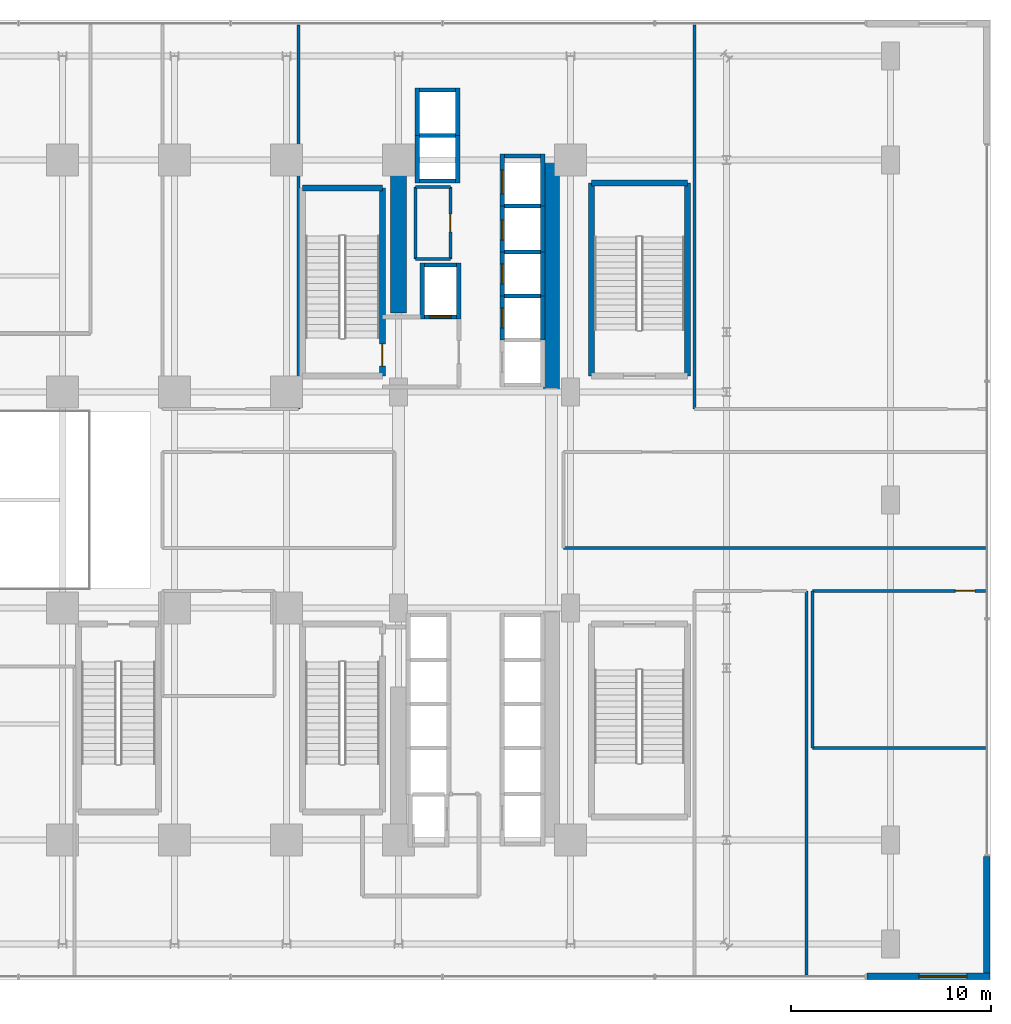
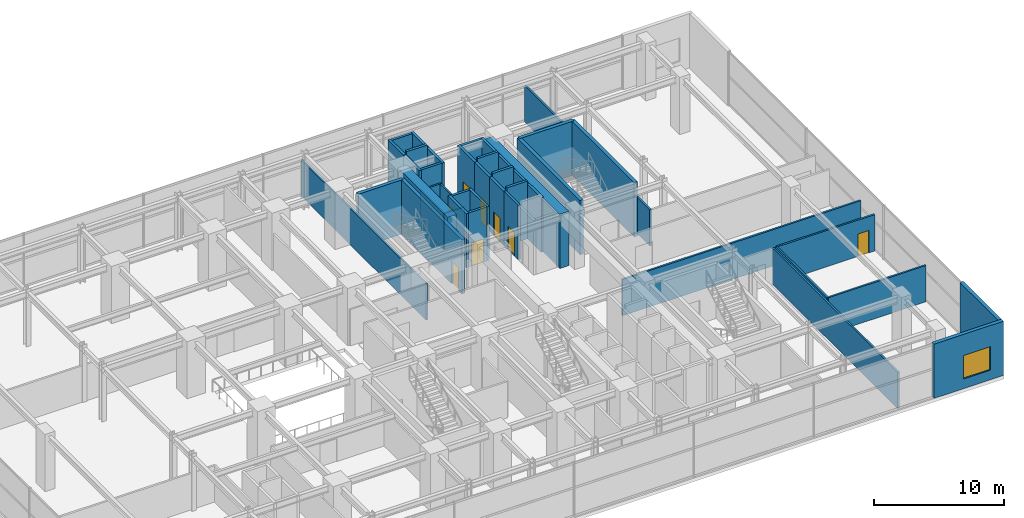
# One storey, part 29 of 32: 43 walls, 8 doors, 1 window, 9 openings.
"""IFC4 building model written with IfcOpenShell, lengths in metres."""

from ifc_helpers import new_model, si_unit, direction, frame, frame_2d, origin, place, context, subcontext, project, spatial, rectangle, extrude, source, transform, mapped, material, layer, layer_set, type_object, element, fill, save


model = new_model("IFC4")

# Units and contexts
model_context = context("Model", 3, precision=1e-05, world=origin(), true_north=direction((0.0, 1.0)))
body_context = subcontext(model_context, "Body", "Model", "MODEL_VIEW")
ifc_project = project(units=[si_unit("LENGTHUNIT", "METRE"), si_unit("AREAUNIT", "SQUARE_METRE"), si_unit("VOLUMEUNIT", "CUBIC_METRE"), si_unit("PLANEANGLEUNIT", "RADIAN"), si_unit("MASSUNIT", "GRAM", prefix="KILO")], contexts=[model_context])

# Site, building, storey
site_placement = place(None, origin())
site = spatial("IfcSite", under=ifc_project, at=site_placement, CompositionType="ELEMENT")
building_placement = place(site_placement, origin())
building = spatial("IfcBuilding", under=site, at=building_placement, Name="Nahalor Promenade Grand Hotel", CompositionType="ELEMENT")
storey_placement = place(building_placement, frame((0.0, 0.0, 5.39990234375)))
storey = spatial("IfcBuildingStorey", under=building, at=storey_placement, Name="L01", CompositionType="ELEMENT", Elevation=5.39990234375)

# Walls
ifc_material_1 = material(Name="Concrete B-70 (C60/75)", Category="concrete")
ifc_layer_1 = layer(ifc_material_1, 0.800048828125)
ifc_layer_set_1 = layer_set([ifc_layer_1], Name="Concrete B-70 (C60/75)")
wall_type_1 = type_object("IfcWallType", Name="Wall-CoreShear-800", PredefinedType="SHEAR", material=ifc_layer_set_1)
shared_shape_1 = source(origin(), body_context, "Body", "SweptSolid", [
    extrude(rectangle(XDim=7.64990234375, YDim=0.800048828125, at=frame_2d((3.824951171875, 0.0))), origin(), (0.0, 0.0, 1.0), 5.080078125),
])
wall_1_placement = place(storey_placement, frame((8.39990234375, 9.35009765625, 0.0), z_axis=(0.0, 0.0, 1.0), x_axis=(0.0, 1.0, 0.0)))
element("IfcWall", 1, at=wall_1_placement, inside=storey, type_object=wall_type_1, Name="CWALL-L01-NW", PredefinedType="SHEAR", context=body_context, shape_type="MappedRepresentation", body=[
    mapped(shared_shape_1, transform((0.0, 0.0, 0.0), scale=1.0)),
])
shared_shape_2 = source(origin(), body_context, "Body", "SweptSolid", [
    extrude(rectangle(XDim=11.60009765625, YDim=0.800048828125, at=frame_2d((5.800048828125, 0.0))), origin(), (0.0, 0.0, 1.0), 5.080078125),
])
wall_2_placement = place(storey_placement, frame((16.050048828125, 5.39990234375, 0.0), z_axis=(0.0, 0.0, 1.0), x_axis=(0.0, 1.0, 0.0)))
element("IfcWall", 2, at=wall_2_placement, inside=storey, type_object=wall_type_1, Name="CWALL-L01-NE", PredefinedType="SHEAR", context=body_context, shape_type="MappedRepresentation", body=[
    mapped(shared_shape_2, transform((0.0, 0.0, 0.0), scale=1.0)),
])
ifc_material_2 = material(Name="Concrete B-50 (C40/50)", Category="concrete")
ifc_layer_2 = layer(ifc_material_2, 0.300048828125)
ifc_layer_set_2 = layer_set([ifc_layer_2], Name="Concrete B-50 (C40/50)")
wall_type_2 = type_object("IfcWallType", Name="Wall-ShaftShear-300", PredefinedType="SHEAR", material=ifc_layer_set_2)
shared_shape_3 = source(origin(), body_context, "Body", "SweptSolid", [
    extrude(rectangle(XDim=3.97998046875, YDim=0.300048828125, at=frame_2d((1.989990234375, 0.0))), origin(), (0.0, 0.0, 1.0), 5.080078125),
])
wall_3_placement = place(storey_placement, frame((3.610107421875, 15.590087890625, 0.0), z_axis=(0.0, 0.0, 1.0), x_axis=(1.0, 0.0, 0.0)))
element("IfcWall", 3, at=wall_3_placement, inside=storey, type_object=wall_type_2, Name="L01 Exit Stair ST1 Shaft Wall N", PredefinedType="SHEAR", context=body_context, shape_type="MappedRepresentation", body=[
    mapped(shared_shape_3, transform((0.0, 0.0, 0.0), scale=1.0)),
])

# Wall, opening, door
shared_shape_4 = source(origin(), body_context, "Body", "SweptSolid", [
    extrude(rectangle(XDim=9.380126953125, YDim=0.300048828125, at=frame_2d((4.68994140625, 0.0))), origin(), (0.0, 0.0, 1.0), 5.080078125),
])
wall_4_placement = place(storey_placement, frame((7.590087890625, 6.2099609375, 0.0), z_axis=(0.0, 0.0, 1.0), x_axis=(0.0, 1.0, 0.0)))
wall_4 = element("IfcWall", 4, at=wall_4_placement, inside=storey, type_object=wall_type_2, Name="L01 Exit Stair ST1 Shaft Wall E", PredefinedType="SHEAR", context=body_context, shape_type="MappedRepresentation", body=[
    mapped(shared_shape_4, transform((0.0, 0.0, 0.0), scale=1.0)),
])
opening_1_placement = place(wall_4_placement, frame((0.489990234375, 0.0, 0.0)))
opening_1 = element("IfcOpeningElement", 5, at=opening_1_placement, cuts=wall_4, Name="Opening D-ST1", PredefinedType="OPENING", context=body_context, shape_type="SweptSolid", body=[
    extrude(rectangle(XDim=1.10009765625, YDim=2.14990234375, at=frame_2d((0.550048828125, 1.074951171875))), frame((0.0, 0.159912109375, 0.0), z_axis=(0.0, -1.0, 0.0), x_axis=(1.0, 0.0, 0.0)), (0.0, 0.0, 1.0), 0.320068359375),
])
ifc_material_3 = material(Name="Steel S355JR", Category="steel")
door_type_1 = type_object("IfcDoorType", Name="Door-StairFire-1100", OperationType="NOTDEFINED", PredefinedType="DOOR", material=ifc_material_3)
shared_shape_5 = source(origin(), body_context, "Body", "SweptSolid", [
    extrude(rectangle(XDim=1.10009765625, YDim=2.14990234375, at=frame_2d((0.550048828125, 1.074951171875))), frame((0.0, 0.02490234375, 0.0), z_axis=(0.0, -1.0, 0.0), x_axis=(1.0, 0.0, 0.0)), (0.0, 0.0, 1.0), 0.050048828125),
])
door_1_placement = place(opening_1_placement, origin())
door_1 = element("IfcDoor", 6, at=door_1_placement, inside=storey, type_object=door_type_1, Name="DR-STAIR-ST1-L01", OperationType="SINGLE_SWING_RIGHT", OverallHeight=2.14990234375, OverallWidth=1.10009765625, PredefinedType="DOOR", context=body_context, shape_type="MappedRepresentation", body=[
    mapped(shared_shape_5, transform((0.0, 0.0, 0.0), scale=1.0)),
])
fill(opening_1, door_1)

# Walls
shared_shape_6 = source(origin(), body_context, "Body", "SweptSolid", [
    extrude(rectangle(XDim=4.780029296875, YDim=0.300048828125, at=frame_2d((2.39013671875, 0.0))), origin(), (0.0, 0.0, 1.0), 5.080078125),
])
wall_5_placement = place(storey_placement, frame((18.06005859375, 15.840087890625, 0.0), z_axis=(0.0, 0.0, 1.0), x_axis=(1.0, 0.0, 0.0)))
element("IfcWall", 7, at=wall_5_placement, inside=storey, type_object=wall_type_2, Name="L01 Exit Stair ST4 Shaft Wall N", PredefinedType="SHEAR", context=body_context, shape_type="MappedRepresentation", body=[
    mapped(shared_shape_6, transform((0.0, 0.0, 0.0), scale=1.0)),
])
shared_shape_7 = source(origin(), body_context, "Body", "SweptSolid", [
    extrude(rectangle(XDim=9.630126953125, YDim=0.300048828125, at=frame_2d((4.81494140625, 0.0))), origin(), (0.0, 0.0, 1.0), 5.080078125),
])
for number, where, z_axis, x_axis, name in (
    (8, (18.06005859375, 6.2099609375, 0.0), (0.0, 0.0, 1.0), (0.0, 1.0, 0.0), "L01 Exit Stair ST4 Shaft Wall W"),
    (9, (22.840087890625, 6.2099609375, 0.0), (0.0, 0.0, 1.0), (0.0, 1.0, 0.0), "L01 Exit Stair ST4 Shaft Wall E"),
):
    element("IfcWall", number, at=place(storey_placement, frame(where, z_axis=z_axis, x_axis=x_axis)), inside=storey, type_object=wall_type_2, Name=name, PredefinedType="SHEAR", context=body_context, shape_type="MappedRepresentation", body=[
        mapped(shared_shape_7, transform((0.0, 0.0, 0.0), scale=1.0)),
    ])
ifc_layer_3 = layer(ifc_material_2, 0.219970703125)
ifc_layer_set_3 = layer_set([ifc_layer_3], Name="Concrete B-50 (C40/50)")
wall_type_3 = type_object("IfcWallType", Name="Wall-LiftShaft-220", PredefinedType="SHEAR", material=ifc_layer_set_3)
shared_shape_8 = source(origin(), body_context, "Body", "SweptSolid", [
    extrude(rectangle(XDim=1.820068359375, YDim=0.219970703125, at=frame_2d((0.91015625, 0.0))), origin(), (0.0, 0.0, 1.0), 5.080078125),
])
for number, where, z_axis, x_axis, name in (
    (10, (9.43994140625, 15.949951171875, 0.0), (0.0, 0.0, 1.0), (1.0, 0.0, 0.0), "L01 Lift OB1 Hoistway Wall S"),
    (11, (9.43994140625, 20.5, 0.0), (0.0, 0.0, 1.0), (1.0, 0.0, 0.0), "L01 Lift OB2 Hoistway Wall N"),
    (12, (13.68994140625, 17.199951171875, 0.0), (0.0, 0.0, 1.0), (1.0, 0.0, 0.0), "L01 Lift SV1 Hoistway Wall N"),
):
    element("IfcWall", number, at=place(storey_placement, frame(where, z_axis=z_axis, x_axis=x_axis)), inside=storey, type_object=wall_type_3, Name=name, PredefinedType="SHEAR", context=body_context, shape_type="MappedRepresentation", body=[
        mapped(shared_shape_8, transform((0.0, 0.0, 0.0), scale=1.0)),
    ])
shared_shape_9 = source(origin(), body_context, "Body", "SweptSolid", [
    extrude(rectangle(XDim=1.820068359375, YDim=0.219970703125, at=frame_2d((0.91015625, 0.0))), origin(), (0.0, 0.0, 1.0), 5.400146484375),
])
for number, where, z_axis, x_axis, name in (
    (13, (13.68994140625, 10.199951171875, 0.0), (0.0, 0.0, 1.0), (1.0, 0.0, 0.0), "L01 Lift PL2 Hoistway Wall N"),
    (14, (13.68994140625, 12.39990234375, 0.0), (0.0, 0.0, 1.0), (1.0, 0.0, 0.0), "L01 Lift PL3 Hoistway Wall N"),
    (15, (13.68994140625, 14.699951171875, 0.0), (0.0, 0.0, 1.0), (1.0, 0.0, 0.0), "L01 Lift PL4 Hoistway Wall N"),
    (16, (9.43994140625, 18.22509765625, 0.0), (0.0, 0.0, 1.0), (1.0, 0.0, 0.0), "L01 Lift OB1 Hoistway Wall N"),
):
    element("IfcWall", number, at=place(storey_placement, frame(where, z_axis=z_axis, x_axis=x_axis)), inside=storey, type_object=wall_type_3, Name=name, PredefinedType="SHEAR", context=body_context, shape_type="MappedRepresentation", body=[
        mapped(shared_shape_9, transform((0.0, 0.0, 0.0), scale=1.0)),
    ])

# Wall, opening, door
shared_shape_10 = source(origin(), body_context, "Body", "SweptSolid", [
    extrude(rectangle(XDim=2.199951171875, YDim=0.219970703125, at=frame_2d((1.10009765625, 0.0))), origin(), (0.0, 0.0, 1.0), 5.080078125),
])
wall_6_placement = place(storey_placement, frame((13.580078125, 8.0, 0.0), z_axis=(0.0, 0.0, 1.0), x_axis=(0.0, 1.0, 0.0)))
wall_6 = element("IfcWall", 17, at=wall_6_placement, inside=storey, type_object=wall_type_3, Name="L01 Lift PL2 Hoistway Wall W", PredefinedType="SHEAR", context=body_context, shape_type="MappedRepresentation", body=[
    mapped(shared_shape_10, transform((0.0, 0.0, 0.0), scale=1.0)),
])
opening_2_placement = place(wall_6_placement, frame((0.60009765625, 0.0, 0.0)))
opening_2 = element("IfcOpeningElement", 18, at=opening_2_placement, cuts=wall_6, Name="Opening LD-01", PredefinedType="OPENING", context=body_context, shape_type="SweptSolid", body=[
    extrude(rectangle(XDim=1.0, YDim=2.199951171875, at=frame_2d((0.5, 1.10009765625))), frame((0.0, 0.119873046875, 0.0), z_axis=(0.0, -1.0, 0.0), x_axis=(1.0, 0.0, 0.0)), (0.0, 0.0, 1.0), 0.239990234375),
])
door_type_2 = type_object("IfcDoorType", Name="Door-LiftLanding-1000", OperationType="DOUBLE_DOOR_SLIDING", PredefinedType="DOOR", material=ifc_material_3)
shared_shape_11 = source(origin(), body_context, "Body", "SweptSolid", [
    extrude(rectangle(XDim=1.0, YDim=2.199951171875, at=frame_2d((0.5, 1.10009765625))), frame((0.0, 0.02490234375, 0.0), z_axis=(0.0, -1.0, 0.0), x_axis=(1.0, 0.0, 0.0)), (0.0, 0.0, 1.0), 0.050048828125),
])
door_2_placement = place(opening_2_placement, origin())
door_2 = element("IfcDoor", 19, at=door_2_placement, inside=storey, type_object=door_type_2, Name="DR-LIFT-PL2-L01", OperationType="DOUBLE_DOOR_SLIDING", OverallHeight=2.199951171875, OverallWidth=1.0, PredefinedType="DOOR", context=body_context, shape_type="MappedRepresentation", body=[
    mapped(shared_shape_11, transform((0.0, 0.0, 0.0), scale=1.0)),
])
fill(opening_2, door_2)

# Wall
wall_7_placement = place(storey_placement, frame((15.6201171875, 8.0, 0.0), z_axis=(0.0, 0.0, 1.0), x_axis=(0.0, 1.0, 0.0)))
element("IfcWall", 20, at=wall_7_placement, inside=storey, type_object=wall_type_3, Name="L01 Lift PL2 Hoistway Wall E", PredefinedType="SHEAR", context=body_context, shape_type="MappedRepresentation", body=[
    mapped(shared_shape_10, transform((0.0, 0.0, 0.0), scale=1.0)),
])

# Wall, opening, door
wall_8_placement = place(storey_placement, frame((13.580078125, 10.199951171875, 0.0), z_axis=(0.0, 0.0, 1.0), x_axis=(0.0, 1.0, 0.0)))
wall_8 = element("IfcWall", 21, at=wall_8_placement, inside=storey, type_object=wall_type_3, Name="L01 Lift PL3 Hoistway Wall W", PredefinedType="SHEAR", context=body_context, shape_type="MappedRepresentation", body=[
    mapped(shared_shape_10, transform((0.0, 0.0, 0.0), scale=1.0)),
])
opening_3_placement = place(wall_8_placement, frame((0.60009765625, 0.0, 0.0)))
opening_3 = element("IfcOpeningElement", 22, at=opening_3_placement, cuts=wall_8, Name="Opening LD-01", PredefinedType="OPENING", context=body_context, shape_type="SweptSolid", body=[
    extrude(rectangle(XDim=1.0, YDim=2.199951171875, at=frame_2d((0.5, 1.10009765625))), frame((0.0, 0.119873046875, 0.0), z_axis=(0.0, -1.0, 0.0), x_axis=(1.0, 0.0, 0.0)), (0.0, 0.0, 1.0), 0.239990234375),
])
door_3_placement = place(opening_3_placement, origin())
door_3 = element("IfcDoor", 23, at=door_3_placement, inside=storey, type_object=door_type_2, Name="DR-LIFT-PL3-L01", OperationType="DOUBLE_DOOR_SLIDING", OverallHeight=2.199951171875, OverallWidth=1.0, PredefinedType="DOOR", context=body_context, shape_type="MappedRepresentation", body=[
    mapped(shared_shape_11, transform((0.0, 0.0, 0.0), scale=1.0)),
])
fill(opening_3, door_3)

# Wall
wall_9_placement = place(storey_placement, frame((15.6201171875, 10.199951171875, 0.0), z_axis=(0.0, 0.0, 1.0), x_axis=(0.0, 1.0, 0.0)))
element("IfcWall", 24, at=wall_9_placement, inside=storey, type_object=wall_type_3, Name="L01 Lift PL3 Hoistway Wall E", PredefinedType="SHEAR", context=body_context, shape_type="MappedRepresentation", body=[
    mapped(shared_shape_10, transform((0.0, 0.0, 0.0), scale=1.0)),
])

# Wall, opening, door
shared_shape_12 = source(origin(), body_context, "Body", "SweptSolid", [
    extrude(rectangle(XDim=2.300048828125, YDim=0.219970703125, at=frame_2d((1.14990234375, 0.0))), origin(), (0.0, 0.0, 1.0), 5.080078125),
])
wall_10_placement = place(storey_placement, frame((13.580078125, 12.39990234375, 0.0), z_axis=(0.0, 0.0, 1.0), x_axis=(0.0, 1.0, 0.0)))
wall_10 = element("IfcWall", 25, at=wall_10_placement, inside=storey, type_object=wall_type_3, Name="L01 Lift PL4 Hoistway Wall W", PredefinedType="SHEAR", context=body_context, shape_type="MappedRepresentation", body=[
    mapped(shared_shape_12, transform((0.0, 0.0, 0.0), scale=1.0)),
])
opening_4_placement = place(wall_10_placement, frame((0.60009765625, 0.0, 0.0)))
opening_4 = element("IfcOpeningElement", 26, at=opening_4_placement, cuts=wall_10, Name="Opening LD-01", PredefinedType="OPENING", context=body_context, shape_type="SweptSolid", body=[
    extrude(rectangle(XDim=1.0, YDim=2.199951171875, at=frame_2d((0.5, 1.10009765625))), frame((0.0, 0.119873046875, 0.0), z_axis=(0.0, -1.0, 0.0), x_axis=(1.0, 0.0, 0.0)), (0.0, 0.0, 1.0), 0.239990234375),
])
door_4_placement = place(opening_4_placement, origin())
door_4 = element("IfcDoor", 27, at=door_4_placement, inside=storey, type_object=door_type_2, Name="DR-LIFT-PL4-L01", OperationType="DOUBLE_DOOR_SLIDING", OverallHeight=2.199951171875, OverallWidth=1.0, PredefinedType="DOOR", context=body_context, shape_type="MappedRepresentation", body=[
    mapped(shared_shape_11, transform((0.0, 0.0, 0.0), scale=1.0)),
])
fill(opening_4, door_4)

# Walls
wall_11_placement = place(storey_placement, frame((15.6201171875, 12.39990234375, 0.0), z_axis=(0.0, 0.0, 1.0), x_axis=(0.0, 1.0, 0.0)))
element("IfcWall", 28, at=wall_11_placement, inside=storey, type_object=wall_type_3, Name="L01 Lift PL4 Hoistway Wall E", PredefinedType="SHEAR", context=body_context, shape_type="MappedRepresentation", body=[
    mapped(shared_shape_12, transform((0.0, 0.0, 0.0), scale=1.0)),
])
shared_shape_13 = source(origin(), body_context, "Body", "SweptSolid", [
    extrude(rectangle(XDim=2.385009765625, YDim=0.219970703125, at=frame_2d((1.1923828125, 0.0))), origin(), (0.0, 0.0, 1.0), 5.080078125),
])
for number, where, z_axis, x_axis, name in (
    (29, (9.330078125, 15.840087890625, 0.0), (0.0, 0.0, 1.0), (0.0, 1.0, 0.0), "L01 Lift OB1 Hoistway Wall W"),
    (30, (11.3701171875, 15.840087890625, 0.0), (0.0, 0.0, 1.0), (0.0, 1.0, 0.0), "L01 Lift OB1 Hoistway Wall E"),
    (31, (9.330078125, 18.22509765625, 0.0), (0.0, 0.0, 1.0), (0.0, 1.0, 0.0), "L01 Lift OB2 Hoistway Wall W"),
    (32, (11.3701171875, 18.22509765625, 0.0), (0.0, 0.0, 1.0), (0.0, 1.0, 0.0), "L01 Lift OB2 Hoistway Wall E"),
):
    element("IfcWall", number, at=place(storey_placement, frame(where, z_axis=z_axis, x_axis=x_axis)), inside=storey, type_object=wall_type_3, Name=name, PredefinedType="SHEAR", context=body_context, shape_type="MappedRepresentation", body=[
        mapped(shared_shape_13, transform((0.0, 0.0, 0.0), scale=1.0)),
    ])
shared_shape_14 = source(origin(), body_context, "Body", "SweptSolid", [
    extrude(rectangle(XDim=2.820068359375, YDim=0.219970703125, at=frame_2d((1.41015625, 0.0))), origin(), (0.0, 0.0, 1.0), 5.080078125),
])
for number, where, z_axis, x_axis, name in (
    (33, (9.580078125, 9.0400390625, 0.0), (0.0, 0.0, 1.0), (0.0, 1.0, 0.0), "L01 Lift FL1 Hoistway Wall W"),
    (34, (11.419921875, 9.0400390625, 0.0), (0.0, 0.0, 1.0), (0.0, 1.0, 0.0), "L01 Lift FL1 Hoistway Wall E"),
):
    element("IfcWall", number, at=place(storey_placement, frame(where, z_axis=z_axis, x_axis=x_axis)), inside=storey, type_object=wall_type_3, Name=name, PredefinedType="SHEAR", context=body_context, shape_type="MappedRepresentation", body=[
        mapped(shared_shape_14, transform((0.0, 0.0, 0.0), scale=1.0)),
    ])

# Wall, opening, door
shared_shape_15 = source(origin(), body_context, "Body", "SweptSolid", [
    extrude(rectangle(XDim=1.6201171875, YDim=0.219970703125, at=frame_2d((0.81005859375, 0.0))), origin(), (0.0, 0.0, 1.0), 5.080078125),
])
wall_12_placement = place(storey_placement, frame((9.68994140625, 9.14990234375, 0.0), z_axis=(0.0, 0.0, 1.0), x_axis=(1.0, 0.0, 0.0)))
wall_12 = element("IfcWall", 35, at=wall_12_placement, inside=storey, type_object=wall_type_3, Name="L01 Lift FL1 Hoistway Wall S", PredefinedType="SHEAR", context=body_context, shape_type="MappedRepresentation", body=[
    mapped(shared_shape_15, transform((0.0, 0.0, 0.0), scale=1.0)),
])
opening_5_placement = place(wall_12_placement, frame((0.260009765625, 0.0, 0.0)))
opening_5 = element("IfcOpeningElement", 36, at=opening_5_placement, cuts=wall_12, Name="Opening LD-02", PredefinedType="OPENING", context=body_context, shape_type="SweptSolid", body=[
    extrude(rectangle(XDim=1.10009765625, YDim=2.199951171875, at=frame_2d((0.550048828125, 1.10009765625))), frame((0.0, 0.119873046875, 0.0), z_axis=(0.0, -1.0, 0.0), x_axis=(1.0, 0.0, 0.0)), (0.0, 0.0, 1.0), 0.239990234375),
])
door_type_3 = type_object("IfcDoorType", Name="Door-LiftFF-1100", OperationType="DOUBLE_DOOR_SLIDING", PredefinedType="DOOR", material=ifc_material_3)
shared_shape_16 = source(origin(), body_context, "Body", "SweptSolid", [
    extrude(rectangle(XDim=1.10009765625, YDim=2.199951171875, at=frame_2d((0.550048828125, 1.10009765625))), frame((0.0, 0.02490234375, 0.0), z_axis=(0.0, -1.0, 0.0), x_axis=(1.0, 0.0, 0.0)), (0.0, 0.0, 1.0), 0.050048828125),
])
door_5_placement = place(opening_5_placement, frame((1.10009765625, 0.0, 0.0), z_axis=(0.0, 0.0, 1.0), x_axis=(-1.0, 0.0, 0.0)))
door_5 = element("IfcDoor", 37, at=door_5_placement, inside=storey, type_object=door_type_3, Name="DR-LIFT-FL1-L01", OperationType="DOUBLE_DOOR_SLIDING", OverallHeight=2.199951171875, OverallWidth=1.10009765625, PredefinedType="DOOR", context=body_context, shape_type="MappedRepresentation", body=[
    mapped(shared_shape_16, transform((0.0, 0.0, 0.0), scale=1.0)),
])
fill(opening_5, door_5)

# Wall
wall_13_placement = place(storey_placement, frame((9.68994140625, 11.75, 0.0), z_axis=(0.0, 0.0, 1.0), x_axis=(1.0, 0.0, 0.0)))
element("IfcWall", 38, at=wall_13_placement, inside=storey, type_object=wall_type_3, Name="L01 Lift FL1 Hoistway Wall N", PredefinedType="SHEAR", context=body_context, shape_type="MappedRepresentation", body=[
    mapped(shared_shape_15, transform((0.0, 0.0, 0.0), scale=1.0)),
])

# Wall, opening, door
shared_shape_17 = source(origin(), body_context, "Body", "SweptSolid", [
    extrude(rectangle(XDim=2.610107421875, YDim=0.219970703125, at=frame_2d((1.30517578125, 0.0))), origin(), (0.0, 0.0, 1.0), 5.080078125),
])
wall_14_placement = place(storey_placement, frame((13.580078125, 14.699951171875, 0.0), z_axis=(0.0, 0.0, 1.0), x_axis=(0.0, 1.0, 0.0)))
wall_14 = element("IfcWall", 39, at=wall_14_placement, inside=storey, type_object=wall_type_3, Name="L01 Lift SV1 Hoistway Wall W", PredefinedType="SHEAR", context=body_context, shape_type="MappedRepresentation", body=[
    mapped(shared_shape_17, transform((0.0, 0.0, 0.0), scale=1.0)),
])
opening_6_placement = place(wall_14_placement, frame((0.60009765625, 0.0, 0.0)))
opening_6 = element("IfcOpeningElement", 40, at=opening_6_placement, cuts=wall_14, Name="Opening LD-03", PredefinedType="OPENING", context=body_context, shape_type="SweptSolid", body=[
    extrude(rectangle(XDim=1.199951171875, YDim=2.199951171875, at=frame_2d((0.60009765625, 1.10009765625))), frame((0.0, 0.119873046875, 0.0), z_axis=(0.0, -1.0, 0.0), x_axis=(1.0, 0.0, 0.0)), (0.0, 0.0, 1.0), 0.239990234375),
])
door_type_4 = type_object("IfcDoorType", Name="Door-LiftService-1200", OperationType="DOUBLE_DOOR_SLIDING", PredefinedType="DOOR", material=ifc_material_3)
shared_shape_18 = source(origin(), body_context, "Body", "SweptSolid", [
    extrude(rectangle(XDim=1.199951171875, YDim=2.199951171875, at=frame_2d((0.60009765625, 1.10009765625))), frame((0.0, 0.02490234375, 0.0), z_axis=(0.0, -1.0, 0.0), x_axis=(1.0, 0.0, 0.0)), (0.0, 0.0, 1.0), 0.050048828125),
])
door_6_placement = place(opening_6_placement, origin())
door_6 = element("IfcDoor", 41, at=door_6_placement, inside=storey, type_object=door_type_4, Name="DR-LIFT-SV1-L01", OperationType="DOUBLE_DOOR_SLIDING", OverallHeight=2.199951171875, OverallWidth=1.199951171875, PredefinedType="DOOR", context=body_context, shape_type="MappedRepresentation", body=[
    mapped(shared_shape_18, transform((0.0, 0.0, 0.0), scale=1.0)),
])
fill(opening_6, door_6)

# Wall
wall_15_placement = place(storey_placement, frame((15.6201171875, 14.699951171875, 0.0), z_axis=(0.0, 0.0, 1.0), x_axis=(0.0, 1.0, 0.0)))
element("IfcWall", 42, at=wall_15_placement, inside=storey, type_object=wall_type_3, Name="L01 Lift SV1 Hoistway Wall E", PredefinedType="SHEAR", context=body_context, shape_type="MappedRepresentation", body=[
    mapped(shared_shape_17, transform((0.0, 0.0, 0.0), scale=1.0)),
])

# Wall, opening, window
ifc_material_4 = material(Name="Concrete B-40 (C32/40)", Category="concrete")
ifc_layer_4 = layer(ifc_material_4, 0.320068359375)
ifc_layer_set_4 = layer_set([ifc_layer_4], Name="Concrete B-40 (C32/40)")
wall_type_4 = type_object("IfcWallType", Name="Wall-LimestonePier-320", PredefinedType="STANDARD", material=ifc_layer_set_4)
shared_shape_19 = source(origin(), body_context, "Body", "SweptSolid", [
    extrude(rectangle(XDim=6.159912109375, YDim=0.320068359375, at=frame_2d((3.080078125, 0.0))), origin(), (0.0, 0.0, 1.0), 5.080078125),
])
wall_16_placement = place(storey_placement, frame((31.820068359375, -23.820068359375, 0.0), z_axis=(0.0, 0.0, 1.0), x_axis=(1.0, 0.0, 0.0)))
wall_16 = element("IfcWall", 43, at=wall_16_placement, inside=storey, type_object=wall_type_4, Name="W-L01-CRN-SE-X", PredefinedType="STANDARD", context=body_context, shape_type="MappedRepresentation", body=[
    mapped(shared_shape_19, transform((0.0, 0.0, 0.0), scale=1.0)),
])
opening_7_placement = place(wall_16_placement, frame((2.60009765625, 0.0, 0.89990234375)))
opening_7 = element("IfcOpeningElement", 44, at=opening_7_placement, cuts=wall_16, Name="Opening WN-02", PredefinedType="OPENING", context=body_context, shape_type="SweptSolid", body=[
    extrude(rectangle(XDim=2.39990234375, YDim=2.199951171875, at=frame_2d((1.199951171875, 1.10009765625))), frame((0.0, 0.169921875, 0.0), z_axis=(0.0, -1.0, 0.0), x_axis=(1.0, 0.0, 0.0)), (0.0, 0.0, 1.0), 0.340087890625),
])
ifc_material_5 = material(Name="Low-E Laminated Solar Glass", Category="glass")
window_type = type_object("IfcWindowType", Name="Win-PodiumArch-2400x2200", PartitioningType="SINGLE_PANEL", PredefinedType="WINDOW", material=ifc_material_5)
shared_shape_20 = source(origin(), body_context, "Body", "SweptSolid", [
    extrude(rectangle(XDim=2.39990234375, YDim=2.199951171875, at=frame_2d((1.199951171875, 1.10009765625))), frame((0.0, 0.030029296875, 0.0), z_axis=(0.0, -1.0, 0.0), x_axis=(1.0, 0.0, 0.0)), (0.0, 0.0, 1.0), 0.06005859375),
])
window_placement = place(opening_7_placement, origin())
window = element("IfcWindow", 45, at=window_placement, inside=storey, type_object=window_type, Name="WN-L01-SE-X", OverallHeight=2.199951171875, OverallWidth=2.39990234375, PartitioningType="SINGLE_PANEL", PredefinedType="WINDOW", context=body_context, shape_type="MappedRepresentation", body=[
    mapped(shared_shape_20, transform((0.0, 0.0, 0.0), scale=1.0)),
])
fill(opening_7, window)

# Walls
shared_shape_21 = source(origin(), body_context, "Body", "SweptSolid", [
    extrude(rectangle(XDim=5.83984375, YDim=0.320068359375, at=frame_2d((2.919921875, 0.0))), origin(), (0.0, 0.0, 1.0), 5.080078125),
])
wall_17_placement = place(storey_placement, frame((37.820068359375, -23.659912109375, 0.0), z_axis=(0.0, 0.0, 1.0), x_axis=(0.0, 1.0, 0.0)))
element("IfcWall", 46, at=wall_17_placement, inside=storey, type_object=wall_type_4, Name="W-L01-CRN-SE-Y", PredefinedType="STANDARD", context=body_context, shape_type="MappedRepresentation", body=[
    mapped(shared_shape_21, transform((0.0, 0.0, 0.0), scale=1.0)),
])
ifc_material_6 = material(Name="Acoustic Mineral Gypsum", Category="gypsum")
ifc_layer_5 = layer(ifc_material_6, 0.14990234375)
ifc_layer_set_5 = layer_set([ifc_layer_5], Name="Acoustic Mineral Gypsum")
wall_type_5 = type_object("IfcWallType", Name="Wall-PartService-150", PredefinedType="PARTITIONING", material=ifc_layer_set_5)
shared_shape_22 = source(origin(), body_context, "Body", "SweptSolid", [
    extrude(rectangle(XDim=1.75, YDim=0.14990234375, at=frame_2d((0.875, 0.0))), origin(), (0.0, 0.0, 1.0), 3.400146484375),
])
for number, where, z_axis, x_axis, name in (
    (47, (9.25, 12.050048828125, 0.0), (0.0, 0.0, 1.0), (1.0, 0.0, 0.0), "W-L01-CK1A-S"),
    (48, (9.25, 15.64990234375, 0.0), (0.0, 0.0, 1.0), (1.0, 0.0, 0.0), "W-L01-CK1A-N"),
):
    element("IfcWall", number, at=place(storey_placement, frame(where, z_axis=z_axis, x_axis=x_axis)), inside=storey, type_object=wall_type_5, Name=name, PredefinedType="PARTITIONING", context=body_context, shape_type="MappedRepresentation", body=[
        mapped(shared_shape_22, transform((0.0, 0.0, 0.0), scale=1.0)),
    ])
shared_shape_23 = source(origin(), body_context, "Body", "SweptSolid", [
    extrude(rectangle(XDim=3.599853515625, YDim=0.14990234375, at=frame_2d((1.7998046875, 0.0))), origin(), (0.0, 0.0, 1.0), 3.400146484375),
])
wall_18_placement = place(storey_placement, frame((9.25, 12.050048828125, 0.0), z_axis=(0.0, 0.0, 1.0), x_axis=(0.0, 1.0, 0.0)))
element("IfcWall", 49, at=wall_18_placement, inside=storey, type_object=wall_type_5, Name="W-L01-CK1A-W", PredefinedType="PARTITIONING", context=body_context, shape_type="MappedRepresentation", body=[
    mapped(shared_shape_23, transform((0.0, 0.0, 0.0), scale=1.0)),
])

# Wall, opening, door
wall_19_placement = place(storey_placement, frame((11.0, 12.050048828125, 0.0), z_axis=(0.0, 0.0, 1.0), x_axis=(0.0, 1.0, 0.0)))
wall_19 = element("IfcWall", 50, at=wall_19_placement, inside=storey, type_object=wall_type_5, Name="W-L01-CK1A-E", PredefinedType="PARTITIONING", context=body_context, shape_type="MappedRepresentation", body=[
    mapped(shared_shape_23, transform((0.0, 0.0, 0.0), scale=1.0)),
])
opening_8_placement = place(wall_19_placement, frame((1.360107421875, 0.0, 0.0)))
opening_8 = element("IfcOpeningElement", 51, at=opening_8_placement, cuts=wall_19, Name="Opening D-03", PredefinedType="OPENING", context=body_context, shape_type="SweptSolid", body=[
    extrude(rectangle(XDim=0.8798828125, YDim=2.10009765625, at=frame_2d((0.43994140625, 1.050048828125))), frame((0.0, 0.0849609375, 0.0), z_axis=(0.0, -1.0, 0.0), x_axis=(1.0, 0.0, 0.0)), (0.0, 0.0, 1.0), 0.169921875),
])
ifc_material_7 = material(Name="Fire-Rated Timber Composite", Category="wood")
door_type_5 = type_object("IfcDoorType", Name="Door-BathSwing-880", OperationType="NOTDEFINED", PredefinedType="DOOR", material=ifc_material_7)
shared_shape_24 = source(origin(), body_context, "Body", "SweptSolid", [
    extrude(rectangle(XDim=0.8798828125, YDim=2.10009765625, at=frame_2d((0.43994140625, 1.050048828125))), frame((0.0, 0.02490234375, 0.0), z_axis=(0.0, -1.0, 0.0), x_axis=(1.0, 0.0, 0.0)), (0.0, 0.0, 1.0), 0.050048828125),
])
door_7_placement = place(opening_8_placement, origin())
door_7 = element("IfcDoor", 52, at=door_7_placement, inside=storey, type_object=door_type_5, Name="DR-L01-CK1A", OperationType="SINGLE_SWING_LEFT", OverallHeight=2.10009765625, OverallWidth=0.8798828125, PredefinedType="DOOR", context=body_context, shape_type="MappedRepresentation", body=[
    mapped(shared_shape_24, transform((0.0, 0.0, 0.0), scale=1.0)),
])
fill(opening_8, door_7)

# Walls
ifc_layer_6 = layer(ifc_material_6, 0.159912109375)
ifc_layer_set_6 = layer_set([ifc_layer_6], Name="Acoustic Mineral Gypsum")
wall_type_6 = type_object("IfcWallType", Name="Wall-PartCorridor-160", PredefinedType="PARTITIONING", material=ifc_layer_set_6)
shared_shape_25 = source(origin(), body_context, "Body", "SweptSolid", [
    extrude(rectangle(XDim=19.2099609375, YDim=0.159912109375, at=frame_2d((9.60498046875, 0.0))), origin(), (0.0, 0.0, 1.0), 3.400146484375),
])
for number, where, z_axis, x_axis, name in (
    (53, (3.39990234375, 4.550048828125, 0.0), (0.0, 0.0, 1.0), (0.0, 1.0, 0.0), "W-L01-PR02-E"),
    (54, (23.199951171875, 4.550048828125, 0.0), (0.0, 0.0, 1.0), (0.0, 1.0, 0.0), "W-L01-PR03-W"),
    (55, (28.800048828125, -23.760009765625, 0.0), (0.0, 0.0, 1.0), (0.0, 1.0, 0.0), "W-L01-PR06-E"),
):
    element("IfcWall", number, at=place(storey_placement, frame(where, z_axis=z_axis, x_axis=x_axis)), inside=storey, type_object=wall_type_6, Name=name, PredefinedType="PARTITIONING", context=body_context, shape_type="MappedRepresentation", body=[
        mapped(shared_shape_25, transform((0.0, 0.0, 0.0), scale=1.0)),
    ])
shared_shape_26 = source(origin(), body_context, "Body", "SweptSolid", [
    extrude(rectangle(XDim=21.110107421875, YDim=0.159912109375, at=frame_2d((10.55517578125, 0.0))), origin(), (0.0, 0.0, 1.0), 3.400146484375),
])
wall_20_placement = place(storey_placement, frame((16.64990234375, -2.39990234375, 0.0), z_axis=(0.0, 0.0, 1.0), x_axis=(1.0, 0.0, 0.0)))
element("IfcWall", 56, at=wall_20_placement, inside=storey, type_object=wall_type_6, Name="W-L01-PR08-S", PredefinedType="PARTITIONING", context=body_context, shape_type="MappedRepresentation", body=[
    mapped(shared_shape_26, transform((0.0, 0.0, 0.0), scale=1.0)),
])
shared_shape_27 = source(origin(), body_context, "Body", "SweptSolid", [
    extrude(rectangle(XDim=8.659912109375, YDim=0.159912109375, at=frame_2d((4.330078125, 0.0))), origin(), (0.0, 0.0, 1.0), 3.400146484375),
])
wall_21_placement = place(storey_placement, frame((29.10009765625, -12.39990234375, 0.0), z_axis=(0.0, 0.0, 1.0), x_axis=(1.0, 0.0, 0.0)))
element("IfcWall", 57, at=wall_21_placement, inside=storey, type_object=wall_type_6, Name="W-L01-PR09-S", PredefinedType="PARTITIONING", context=body_context, shape_type="MappedRepresentation", body=[
    mapped(shared_shape_27, transform((0.0, 0.0, 0.0), scale=1.0)),
])

# Wall, opening, door
wall_22_placement = place(storey_placement, frame((29.10009765625, -4.550048828125, 0.0), z_axis=(0.0, 0.0, 1.0), x_axis=(1.0, 0.0, 0.0)))
wall_22 = element("IfcWall", 58, at=wall_22_placement, inside=storey, type_object=wall_type_6, Name="W-L01-PR09-N", PredefinedType="PARTITIONING", context=body_context, shape_type="MappedRepresentation", body=[
    mapped(shared_shape_27, transform((0.0, 0.0, 0.0), scale=1.0)),
])
opening_9_placement = place(wall_22_placement, frame((7.139892578125, 0.0, 0.0)))
opening_9 = element("IfcOpeningElement", 59, at=opening_9_placement, cuts=wall_22, Name="Opening D-05", PredefinedType="OPENING", context=body_context, shape_type="SweptSolid", body=[
    extrude(rectangle(XDim=0.97998046875, YDim=2.10009765625, at=frame_2d((0.489990234375, 1.050048828125))), frame((0.0, 0.08984375, 0.0), z_axis=(0.0, -1.0, 0.0), x_axis=(1.0, 0.0, 0.0)), (0.0, 0.0, 1.0), 0.179931640625),
])
door_type_6 = type_object("IfcDoorType", Name="Door-AccessibleWC-980", OperationType="NOTDEFINED", PredefinedType="DOOR", material=ifc_material_7)
shared_shape_28 = source(origin(), body_context, "Body", "SweptSolid", [
    extrude(rectangle(XDim=0.97998046875, YDim=2.10009765625, at=frame_2d((0.489990234375, 1.050048828125))), frame((0.0, 0.02490234375, 0.0), z_axis=(0.0, -1.0, 0.0), x_axis=(1.0, 0.0, 0.0)), (0.0, 0.0, 1.0), 0.050048828125),
])
door_8_placement = place(opening_9_placement, frame((0.97998046875, 0.0, 0.0), z_axis=(0.0, 0.0, 1.0), x_axis=(-1.0, 0.0, 0.0)))
door_8 = element("IfcDoor", 60, at=door_8_placement, inside=storey, type_object=door_type_6, Name="DR-L01-PR09", OperationType="SINGLE_SWING_RIGHT", OverallHeight=2.10009765625, OverallWidth=0.97998046875, PredefinedType="DOOR", context=body_context, shape_type="MappedRepresentation", body=[
    mapped(shared_shape_28, transform((0.0, 0.0, 0.0), scale=1.0)),
])
fill(opening_9, door_8)

# Wall
shared_shape_29 = source(origin(), body_context, "Body", "SweptSolid", [
    extrude(rectangle(XDim=7.849853515625, YDim=0.159912109375, at=frame_2d((3.9248046875, 0.0))), origin(), (0.0, 0.0, 1.0), 3.400146484375),
])
wall_23_placement = place(storey_placement, frame((29.10009765625, -12.39990234375, 0.0), z_axis=(0.0, 0.0, 1.0), x_axis=(0.0, 1.0, 0.0)))
element("IfcWall", 61, at=wall_23_placement, inside=storey, type_object=wall_type_6, Name="W-L01-PR09-W", PredefinedType="PARTITIONING", context=body_context, shape_type="MappedRepresentation", body=[
    mapped(shared_shape_29, transform((0.0, 0.0, 0.0), scale=1.0)),
])

save(model, "model.ifc")
